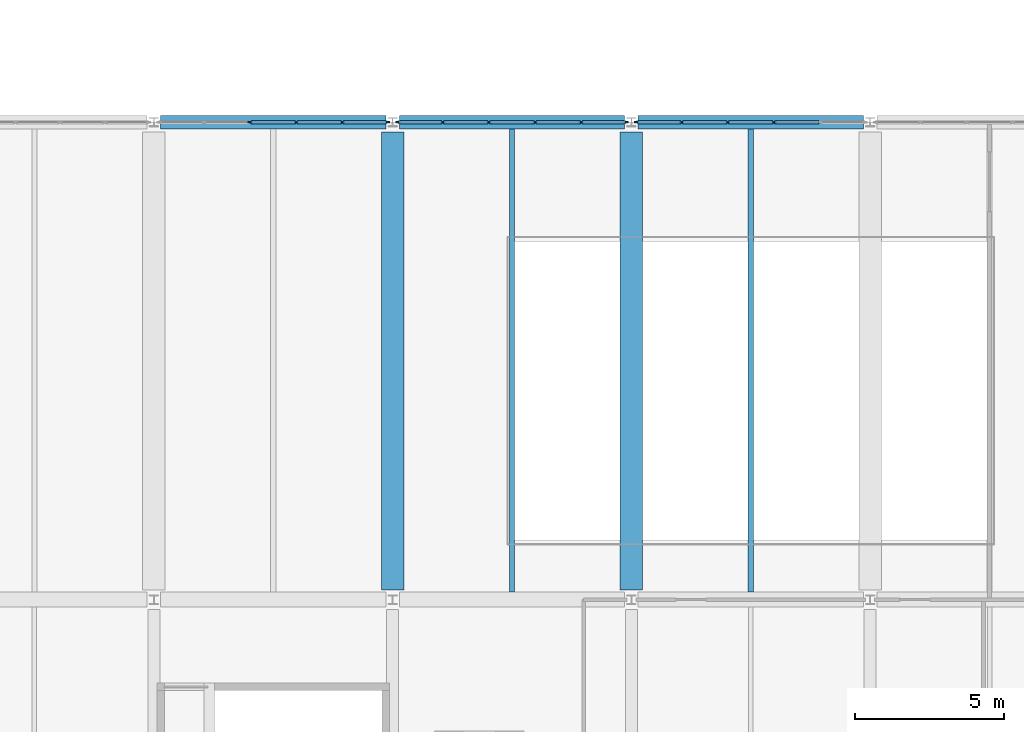
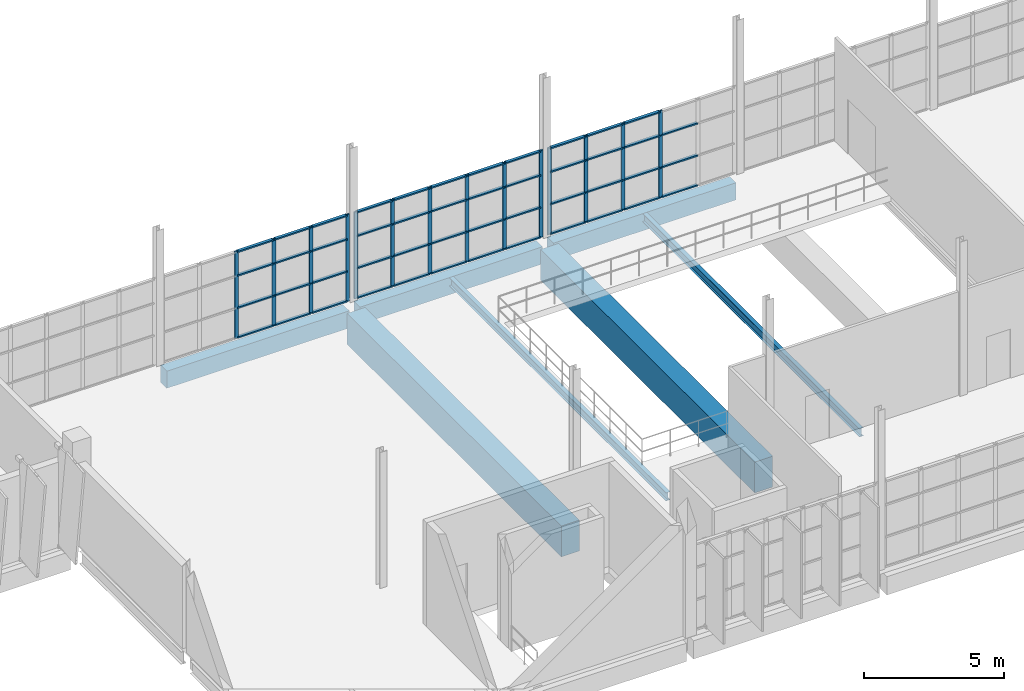
# One storey, part 20 of 93: 61 members, 7 beams, 3 elements without a shape of their own.
"""IFC4 building model written with IfcOpenShell, lengths in metres."""

from ifc_helpers import new_model, si_unit, direction, frame, origin, origin_2d, place, context, subcontext, project, spatial, rectangle, i_section, extrude, material, layer, layer_set, material_profile, profile_set, type_object, element, aggregate, save


model = new_model("IFC4")

# Units and contexts
model_context = context("Model", 3, precision=1e-05, world=origin(), true_north=direction((0.0, 1.0)))
body_context = subcontext(model_context, "Body", "Model", "MODEL_VIEW")
ifc_project = project(units=[si_unit("LENGTHUNIT", "METRE"), si_unit("AREAUNIT", "SQUARE_METRE"), si_unit("VOLUMEUNIT", "CUBIC_METRE"), si_unit("PLANEANGLEUNIT", "RADIAN"), si_unit("MASSUNIT", "GRAM", prefix="KILO")], contexts=[model_context])

# Site, building, storey
site_placement = place(None, origin())
site = spatial("IfcSite", under=ifc_project, at=site_placement, CompositionType="ELEMENT")
building_placement = place(site_placement, origin())
building = spatial("IfcBuilding", under=site, at=building_placement, Name="Drelvana Railside Aquatics Centre", CompositionType="ELEMENT")
storey_placement = place(building_placement, frame((0.0, 0.0, 5.39990234375)))
storey = spatial("IfcBuildingStorey", under=building, at=storey_placement, Name="L01", CompositionType="ELEMENT", Elevation=5.39990234375)

# Curtain wall, members
ifc_material_1 = material(Name="Bronze-anodised aluminium curtain wall", Category="aluminium")
ifc_layer = layer(ifc_material_1, 0.1650390625, Name="Bronze-anodised aluminium curtain wall")
ifc_layer_set = layer_set([ifc_layer], Name="Bronze-anodised aluminium curtain wall")
curtain_wall_type = type_object("IfcCurtainWallType", Name="CW-Z5-COURT", PredefinedType="NOTDEFINED", material=ifc_layer_set)
curtain_wall_1_placement = place(storey_placement, origin())
curtain_wall_1 = element("IfcCurtainWall", 1, at=curtain_wall_1_placement, inside=storey, type_object=curtain_wall_type, Name="Curtain wall CW-05-103", PredefinedType="NOTDEFINED")
ifc_material_2 = material(Name="Bronze-anodised aluminium 6063-T6", Category="aluminium")
ifc_material_profile_1 = material_profile(ifc_material_2, rectangle(XDim=0.06005859375, YDim=0.14990234375, at=origin_2d()), Name="ALU-M 60x150")
ifc_profile_set_1 = profile_set([ifc_material_profile_1], Name="Bronze-anodised aluminium 6063-T6")
member_type_1 = type_object("IfcMemberType", Name="CW-Z5-COURT-MUL", PredefinedType="MULLION", material=ifc_profile_set_1)
member_1_placement = place(storey_placement, frame((107.228759765625, 24.0, -0.005859375), z_axis=(0.0, 0.0, 1.0), x_axis=(0.0, 1.0, 0.0)))
member_1 = element("IfcMember", 2, at=member_1_placement, type_object=member_type_1, Name="CW-05 mullion 3", PredefinedType="MULLION", context=body_context, shape_type="SweptSolid", body=[
    extrude(rectangle(XDim=0.06005859375, YDim=0.14990234375, at=origin_2d()), origin(), (0.0, 0.0, 1.0), 3.805908203125),
])
member_2_placement = place(storey_placement, frame((108.771240234375, 24.0, -0.005859375), z_axis=(0.0, 0.0, 1.0), x_axis=(0.0, 1.0, 0.0)))
member_2 = element("IfcMember", 3, at=member_2_placement, type_object=member_type_1, Name="CW-05 mullion 4", PredefinedType="MULLION", context=body_context, shape_type="SweptSolid", body=[
    extrude(rectangle(XDim=0.06005859375, YDim=0.14990234375, at=origin_2d()), origin(), (0.0, 0.0, 1.0), 3.805908203125),
])
member_3_placement = place(storey_placement, frame((110.313720703125, 24.0, -0.005859375), z_axis=(0.0, 0.0, 1.0), x_axis=(0.0, 1.0, 0.0)))
member_3 = element("IfcMember", 4, at=member_3_placement, type_object=member_type_1, Name="CW-05 mullion 5", PredefinedType="MULLION", context=body_context, shape_type="SweptSolid", body=[
    extrude(rectangle(XDim=0.06005859375, YDim=0.14990234375, at=origin_2d()), origin(), (0.0, 0.0, 1.0), 3.805908203125),
])
member_4_placement = place(storey_placement, frame((111.825927734375, 24.0, -0.005859375), z_axis=(0.0, 0.0, 1.0), x_axis=(0.0, 1.0, 0.0)))
member_4 = element("IfcMember", 5, at=member_4_placement, type_object=member_type_1, Name="CW-05 mullion 6", PredefinedType="MULLION", context=body_context, shape_type="SweptSolid", body=[
    extrude(rectangle(XDim=0.06005859375, YDim=0.14990234375, at=origin_2d()), origin(), (0.0, 0.0, 1.0), 3.805908203125),
])

curtain_wall_2_placement = place(storey_placement, origin())
curtain_wall_2 = element("IfcCurtainWall", 6, at=curtain_wall_2_placement, inside=storey, type_object=curtain_wall_type, Name="Curtain wall CW-05-107", PredefinedType="NOTDEFINED")
member_5_placement = place(storey_placement, frame((112.174072265625, 24.0, -0.005859375), z_axis=(0.0, 0.0, 1.0), x_axis=(0.0, 1.0, 0.0)))
member_5 = element("IfcMember", 7, at=member_5_placement, type_object=member_type_1, Name="CW-05 mullion 1", PredefinedType="MULLION", context=body_context, shape_type="SweptSolid", body=[
    extrude(rectangle(XDim=0.06005859375, YDim=0.14990234375, at=origin_2d()), origin(), (0.0, 0.0, 1.0), 3.805908203125),
])
member_6_placement = place(storey_placement, frame((113.686279296875, 24.0, -0.005859375), z_axis=(0.0, 0.0, 1.0), x_axis=(0.0, 1.0, 0.0)))
member_6 = element("IfcMember", 8, at=member_6_placement, type_object=member_type_1, Name="CW-05 mullion 2", PredefinedType="MULLION", context=body_context, shape_type="SweptSolid", body=[
    extrude(rectangle(XDim=0.06005859375, YDim=0.14990234375, at=origin_2d()), origin(), (0.0, 0.0, 1.0), 3.805908203125),
])
member_7_placement = place(storey_placement, frame((115.228759765625, 24.0, -0.005859375), z_axis=(0.0, 0.0, 1.0), x_axis=(0.0, 1.0, 0.0)))
member_7 = element("IfcMember", 9, at=member_7_placement, type_object=member_type_1, Name="CW-05 mullion 3", PredefinedType="MULLION", context=body_context, shape_type="SweptSolid", body=[
    extrude(rectangle(XDim=0.06005859375, YDim=0.14990234375, at=origin_2d()), origin(), (0.0, 0.0, 1.0), 3.805908203125),
])
member_8_placement = place(storey_placement, frame((116.771240234375, 24.0, -0.005859375), z_axis=(0.0, 0.0, 1.0), x_axis=(0.0, 1.0, 0.0)))
member_8 = element("IfcMember", 10, at=member_8_placement, type_object=member_type_1, Name="CW-05 mullion 4", PredefinedType="MULLION", context=body_context, shape_type="SweptSolid", body=[
    extrude(rectangle(XDim=0.06005859375, YDim=0.14990234375, at=origin_2d()), origin(), (0.0, 0.0, 1.0), 3.805908203125),
])
member_9_placement = place(storey_placement, frame((118.313720703125, 24.0, -0.005859375), z_axis=(0.0, 0.0, 1.0), x_axis=(0.0, 1.0, 0.0)))
member_9 = element("IfcMember", 11, at=member_9_placement, type_object=member_type_1, Name="CW-05 mullion 5", PredefinedType="MULLION", context=body_context, shape_type="SweptSolid", body=[
    extrude(rectangle(XDim=0.06005859375, YDim=0.14990234375, at=origin_2d()), origin(), (0.0, 0.0, 1.0), 3.805908203125),
])
member_10_placement = place(storey_placement, frame((119.825927734375, 24.0, -0.005859375), z_axis=(0.0, 0.0, 1.0), x_axis=(0.0, 1.0, 0.0)))
member_10 = element("IfcMember", 12, at=member_10_placement, type_object=member_type_1, Name="CW-05 mullion 6", PredefinedType="MULLION", context=body_context, shape_type="SweptSolid", body=[
    extrude(rectangle(XDim=0.06005859375, YDim=0.14990234375, at=origin_2d()), origin(), (0.0, 0.0, 1.0), 3.805908203125),
])

curtain_wall_3_placement = place(storey_placement, origin())
curtain_wall_3 = element("IfcCurtainWall", 13, at=curtain_wall_3_placement, inside=storey, type_object=curtain_wall_type, Name="Curtain wall CW-05-109", PredefinedType="NOTDEFINED")
member_11_placement = place(storey_placement, frame((120.174072265625, 24.0, -0.005859375), z_axis=(0.0, 0.0, 1.0), x_axis=(0.0, 1.0, 0.0)))
member_11 = element("IfcMember", 14, at=member_11_placement, type_object=member_type_1, Name="CW-05 mullion 1", PredefinedType="MULLION", context=body_context, shape_type="SweptSolid", body=[
    extrude(rectangle(XDim=0.06005859375, YDim=0.14990234375, at=origin_2d()), origin(), (0.0, 0.0, 1.0), 3.805908203125),
])
member_12_placement = place(storey_placement, frame((121.686279296875, 24.0, -0.005859375), z_axis=(0.0, 0.0, 1.0), x_axis=(0.0, 1.0, 0.0)))
member_12 = element("IfcMember", 15, at=member_12_placement, type_object=member_type_1, Name="CW-05 mullion 2", PredefinedType="MULLION", context=body_context, shape_type="SweptSolid", body=[
    extrude(rectangle(XDim=0.06005859375, YDim=0.14990234375, at=origin_2d()), origin(), (0.0, 0.0, 1.0), 3.805908203125),
])
member_13_placement = place(storey_placement, frame((123.228759765625, 24.0, -0.005859375), z_axis=(0.0, 0.0, 1.0), x_axis=(0.0, 1.0, 0.0)))
member_13 = element("IfcMember", 16, at=member_13_placement, type_object=member_type_1, Name="CW-05 mullion 3", PredefinedType="MULLION", context=body_context, shape_type="SweptSolid", body=[
    extrude(rectangle(XDim=0.06005859375, YDim=0.14990234375, at=origin_2d()), origin(), (0.0, 0.0, 1.0), 3.805908203125),
])
member_14_placement = place(storey_placement, frame((124.771240234375, 24.0, -0.005859375), z_axis=(0.0, 0.0, 1.0), x_axis=(0.0, 1.0, 0.0)))
member_14 = element("IfcMember", 17, at=member_14_placement, type_object=member_type_1, Name="CW-05 mullion 4", PredefinedType="MULLION", context=body_context, shape_type="SweptSolid", body=[
    extrude(rectangle(XDim=0.06005859375, YDim=0.14990234375, at=origin_2d()), origin(), (0.0, 0.0, 1.0), 3.805908203125),
])

# Member
ifc_material_profile_2 = material_profile(ifc_material_2, rectangle(XDim=0.1201171875, YDim=0.06005859375, at=origin_2d()), Name="ALU-T 60x120")
ifc_profile_set_2 = profile_set([ifc_material_profile_2], Name="Bronze-anodised aluminium 6063-T6")
member_type_2 = type_object("IfcMemberType", Name="CW-Z5-COURT-TRN", PredefinedType="USERDEFINED", material=ifc_profile_set_2)
member_15_placement = place(storey_placement, frame((107.25390625, 24.0, 0.024169921875), z_axis=(1.0, 0.0, 0.0), x_axis=(0.0, 1.0, 0.0)))
member_15 = element("IfcMember", 18, at=member_15_placement, type_object=member_type_2, Name="CW-05 transom 3.1", ObjectType="TRANSOM", PredefinedType="USERDEFINED", context=body_context, shape_type="SweptSolid", body=[
    extrude(rectangle(XDim=0.1201171875, YDim=0.06005859375, at=origin_2d()), origin(), (0.0, 0.0, 1.0), 1.4921875),
])

member_16_placement = place(storey_placement, frame((107.25390625, 24.0, 1.326171875), z_axis=(1.0, 0.0, 0.0), x_axis=(0.0, 1.0, 0.0)))
member_16 = element("IfcMember", 19, at=member_16_placement, type_object=member_type_2, Name="CW-05 transom 3.2", ObjectType="TRANSOM", PredefinedType="USERDEFINED", context=body_context, shape_type="SweptSolid", body=[
    extrude(rectangle(XDim=0.1201171875, YDim=0.06005859375, at=origin_2d()), origin(), (0.0, 0.0, 1.0), 1.4921875),
])

member_17_placement = place(storey_placement, frame((107.25390625, 24.0, 2.734130859375), z_axis=(1.0, 0.0, 0.0), x_axis=(0.0, 1.0, 0.0)))
member_17 = element("IfcMember", 20, at=member_17_placement, type_object=member_type_2, Name="CW-05 transom 3.3", ObjectType="TRANSOM", PredefinedType="USERDEFINED", context=body_context, shape_type="SweptSolid", body=[
    extrude(rectangle(XDim=0.1201171875, YDim=0.06005859375, at=origin_2d()), origin(), (0.0, 0.0, 1.0), 1.4921875),
])

member_18_placement = place(storey_placement, frame((107.25390625, 24.0, 3.77001953125), z_axis=(1.0, 0.0, 0.0), x_axis=(0.0, 1.0, 0.0)))
member_18 = element("IfcMember", 21, at=member_18_placement, type_object=member_type_2, Name="CW-05 transom 3.4", ObjectType="TRANSOM", PredefinedType="USERDEFINED", context=body_context, shape_type="SweptSolid", body=[
    extrude(rectangle(XDim=0.1201171875, YDim=0.06005859375, at=origin_2d()), origin(), (0.0, 0.0, 1.0), 1.4921875),
])

member_19_placement = place(storey_placement, frame((108.796142578125, 24.0, 0.024169921875), z_axis=(1.0, 0.0, 0.0), x_axis=(0.0, 1.0, 0.0)))
member_19 = element("IfcMember", 22, at=member_19_placement, type_object=member_type_2, Name="CW-05 transom 4.1", ObjectType="TRANSOM", PredefinedType="USERDEFINED", context=body_context, shape_type="SweptSolid", body=[
    extrude(rectangle(XDim=0.1201171875, YDim=0.06005859375, at=origin_2d()), origin(), (0.0, 0.0, 1.0), 1.492431640625),
])

member_20_placement = place(storey_placement, frame((108.796142578125, 24.0, 1.326171875), z_axis=(1.0, 0.0, 0.0), x_axis=(0.0, 1.0, 0.0)))
member_20 = element("IfcMember", 23, at=member_20_placement, type_object=member_type_2, Name="CW-05 transom 4.2", ObjectType="TRANSOM", PredefinedType="USERDEFINED", context=body_context, shape_type="SweptSolid", body=[
    extrude(rectangle(XDim=0.1201171875, YDim=0.06005859375, at=origin_2d()), origin(), (0.0, 0.0, 1.0), 1.492431640625),
])

member_21_placement = place(storey_placement, frame((108.796142578125, 24.0, 2.734130859375), z_axis=(1.0, 0.0, 0.0), x_axis=(0.0, 1.0, 0.0)))
member_21 = element("IfcMember", 24, at=member_21_placement, type_object=member_type_2, Name="CW-05 transom 4.3", ObjectType="TRANSOM", PredefinedType="USERDEFINED", context=body_context, shape_type="SweptSolid", body=[
    extrude(rectangle(XDim=0.1201171875, YDim=0.06005859375, at=origin_2d()), origin(), (0.0, 0.0, 1.0), 1.492431640625),
])

member_22_placement = place(storey_placement, frame((108.796142578125, 24.0, 3.77001953125), z_axis=(1.0, 0.0, 0.0), x_axis=(0.0, 1.0, 0.0)))
member_22 = element("IfcMember", 25, at=member_22_placement, type_object=member_type_2, Name="CW-05 transom 4.4", ObjectType="TRANSOM", PredefinedType="USERDEFINED", context=body_context, shape_type="SweptSolid", body=[
    extrude(rectangle(XDim=0.1201171875, YDim=0.06005859375, at=origin_2d()), origin(), (0.0, 0.0, 1.0), 1.492431640625),
])

member_23_placement = place(storey_placement, frame((110.338623046875, 24.0, 0.024169921875), z_axis=(1.0, 0.0, 0.0), x_axis=(0.0, 1.0, 0.0)))
member_23 = element("IfcMember", 26, at=member_23_placement, type_object=member_type_2, Name="CW-05 transom 5.1", ObjectType="TRANSOM", PredefinedType="USERDEFINED", context=body_context, shape_type="SweptSolid", body=[
    extrude(rectangle(XDim=0.1201171875, YDim=0.06005859375, at=origin_2d()), origin(), (0.0, 0.0, 1.0), 1.46240234375),
])

member_24_placement = place(storey_placement, frame((110.338623046875, 24.0, 1.326171875), z_axis=(1.0, 0.0, 0.0), x_axis=(0.0, 1.0, 0.0)))
member_24 = element("IfcMember", 27, at=member_24_placement, type_object=member_type_2, Name="CW-05 transom 5.2", ObjectType="TRANSOM", PredefinedType="USERDEFINED", context=body_context, shape_type="SweptSolid", body=[
    extrude(rectangle(XDim=0.1201171875, YDim=0.06005859375, at=origin_2d()), origin(), (0.0, 0.0, 1.0), 1.46240234375),
])

member_25_placement = place(storey_placement, frame((110.338623046875, 24.0, 2.734130859375), z_axis=(1.0, 0.0, 0.0), x_axis=(0.0, 1.0, 0.0)))
member_25 = element("IfcMember", 28, at=member_25_placement, type_object=member_type_2, Name="CW-05 transom 5.3", ObjectType="TRANSOM", PredefinedType="USERDEFINED", context=body_context, shape_type="SweptSolid", body=[
    extrude(rectangle(XDim=0.1201171875, YDim=0.06005859375, at=origin_2d()), origin(), (0.0, 0.0, 1.0), 1.46240234375),
])

member_26_placement = place(storey_placement, frame((110.338623046875, 24.0, 3.77001953125), z_axis=(1.0, 0.0, 0.0), x_axis=(0.0, 1.0, 0.0)))
member_26 = element("IfcMember", 29, at=member_26_placement, type_object=member_type_2, Name="CW-05 transom 5.4", ObjectType="TRANSOM", PredefinedType="USERDEFINED", context=body_context, shape_type="SweptSolid", body=[
    extrude(rectangle(XDim=0.1201171875, YDim=0.06005859375, at=origin_2d()), origin(), (0.0, 0.0, 1.0), 1.46240234375),
])

aggregate(curtain_wall_1, [member_1, member_2, member_3, member_4, member_15, member_16, member_17, member_18, member_19, member_20, member_21, member_22, member_23, member_24, member_25, member_26])

member_27_placement = place(storey_placement, frame((112.198974609375, 24.0, 0.024169921875), z_axis=(1.0, 0.0, 0.0), x_axis=(0.0, 1.0, 0.0)))
member_27 = element("IfcMember", 30, at=member_27_placement, type_object=member_type_2, Name="CW-05 transom 1.1", ObjectType="TRANSOM", PredefinedType="USERDEFINED", context=body_context, shape_type="SweptSolid", body=[
    extrude(rectangle(XDim=0.1201171875, YDim=0.06005859375, at=origin_2d()), origin(), (0.0, 0.0, 1.0), 1.46240234375),
])

member_28_placement = place(storey_placement, frame((112.198974609375, 24.0, 1.326171875), z_axis=(1.0, 0.0, 0.0), x_axis=(0.0, 1.0, 0.0)))
member_28 = element("IfcMember", 31, at=member_28_placement, type_object=member_type_2, Name="CW-05 transom 1.2", ObjectType="TRANSOM", PredefinedType="USERDEFINED", context=body_context, shape_type="SweptSolid", body=[
    extrude(rectangle(XDim=0.1201171875, YDim=0.06005859375, at=origin_2d()), origin(), (0.0, 0.0, 1.0), 1.46240234375),
])

member_29_placement = place(storey_placement, frame((112.198974609375, 24.0, 2.734130859375), z_axis=(1.0, 0.0, 0.0), x_axis=(0.0, 1.0, 0.0)))
member_29 = element("IfcMember", 32, at=member_29_placement, type_object=member_type_2, Name="CW-05 transom 1.3", ObjectType="TRANSOM", PredefinedType="USERDEFINED", context=body_context, shape_type="SweptSolid", body=[
    extrude(rectangle(XDim=0.1201171875, YDim=0.06005859375, at=origin_2d()), origin(), (0.0, 0.0, 1.0), 1.46240234375),
])

member_30_placement = place(storey_placement, frame((112.198974609375, 24.0, 3.77001953125), z_axis=(1.0, 0.0, 0.0), x_axis=(0.0, 1.0, 0.0)))
member_30 = element("IfcMember", 33, at=member_30_placement, type_object=member_type_2, Name="CW-05 transom 1.4", ObjectType="TRANSOM", PredefinedType="USERDEFINED", context=body_context, shape_type="SweptSolid", body=[
    extrude(rectangle(XDim=0.1201171875, YDim=0.06005859375, at=origin_2d()), origin(), (0.0, 0.0, 1.0), 1.46240234375),
])

member_31_placement = place(storey_placement, frame((113.71142578125, 24.0, 0.024169921875), z_axis=(1.0, 0.0, 0.0), x_axis=(0.0, 1.0, 0.0)))
member_31 = element("IfcMember", 34, at=member_31_placement, type_object=member_type_2, Name="CW-05 transom 2.1", ObjectType="TRANSOM", PredefinedType="USERDEFINED", context=body_context, shape_type="SweptSolid", body=[
    extrude(rectangle(XDim=0.1201171875, YDim=0.06005859375, at=origin_2d()), origin(), (0.0, 0.0, 1.0), 1.492431640625),
])

member_32_placement = place(storey_placement, frame((113.71142578125, 24.0, 1.326171875), z_axis=(1.0, 0.0, 0.0), x_axis=(0.0, 1.0, 0.0)))
member_32 = element("IfcMember", 35, at=member_32_placement, type_object=member_type_2, Name="CW-05 transom 2.2", ObjectType="TRANSOM", PredefinedType="USERDEFINED", context=body_context, shape_type="SweptSolid", body=[
    extrude(rectangle(XDim=0.1201171875, YDim=0.06005859375, at=origin_2d()), origin(), (0.0, 0.0, 1.0), 1.492431640625),
])

member_33_placement = place(storey_placement, frame((113.71142578125, 24.0, 2.734130859375), z_axis=(1.0, 0.0, 0.0), x_axis=(0.0, 1.0, 0.0)))
member_33 = element("IfcMember", 36, at=member_33_placement, type_object=member_type_2, Name="CW-05 transom 2.3", ObjectType="TRANSOM", PredefinedType="USERDEFINED", context=body_context, shape_type="SweptSolid", body=[
    extrude(rectangle(XDim=0.1201171875, YDim=0.06005859375, at=origin_2d()), origin(), (0.0, 0.0, 1.0), 1.492431640625),
])

member_34_placement = place(storey_placement, frame((113.71142578125, 24.0, 3.77001953125), z_axis=(1.0, 0.0, 0.0), x_axis=(0.0, 1.0, 0.0)))
member_34 = element("IfcMember", 37, at=member_34_placement, type_object=member_type_2, Name="CW-05 transom 2.4", ObjectType="TRANSOM", PredefinedType="USERDEFINED", context=body_context, shape_type="SweptSolid", body=[
    extrude(rectangle(XDim=0.1201171875, YDim=0.06005859375, at=origin_2d()), origin(), (0.0, 0.0, 1.0), 1.492431640625),
])

member_35_placement = place(storey_placement, frame((115.25390625, 24.0, 0.024169921875), z_axis=(1.0, 0.0, 0.0), x_axis=(0.0, 1.0, 0.0)))
member_35 = element("IfcMember", 38, at=member_35_placement, type_object=member_type_2, Name="CW-05 transom 3.1", ObjectType="TRANSOM", PredefinedType="USERDEFINED", context=body_context, shape_type="SweptSolid", body=[
    extrude(rectangle(XDim=0.1201171875, YDim=0.06005859375, at=origin_2d()), origin(), (0.0, 0.0, 1.0), 1.4921875),
])

member_36_placement = place(storey_placement, frame((115.25390625, 24.0, 1.326171875), z_axis=(1.0, 0.0, 0.0), x_axis=(0.0, 1.0, 0.0)))
member_36 = element("IfcMember", 39, at=member_36_placement, type_object=member_type_2, Name="CW-05 transom 3.2", ObjectType="TRANSOM", PredefinedType="USERDEFINED", context=body_context, shape_type="SweptSolid", body=[
    extrude(rectangle(XDim=0.1201171875, YDim=0.06005859375, at=origin_2d()), origin(), (0.0, 0.0, 1.0), 1.4921875),
])

member_37_placement = place(storey_placement, frame((115.25390625, 24.0, 2.734130859375), z_axis=(1.0, 0.0, 0.0), x_axis=(0.0, 1.0, 0.0)))
member_37 = element("IfcMember", 40, at=member_37_placement, type_object=member_type_2, Name="CW-05 transom 3.3", ObjectType="TRANSOM", PredefinedType="USERDEFINED", context=body_context, shape_type="SweptSolid", body=[
    extrude(rectangle(XDim=0.1201171875, YDim=0.06005859375, at=origin_2d()), origin(), (0.0, 0.0, 1.0), 1.4921875),
])

member_38_placement = place(storey_placement, frame((115.25390625, 24.0, 3.77001953125), z_axis=(1.0, 0.0, 0.0), x_axis=(0.0, 1.0, 0.0)))
member_38 = element("IfcMember", 41, at=member_38_placement, type_object=member_type_2, Name="CW-05 transom 3.4", ObjectType="TRANSOM", PredefinedType="USERDEFINED", context=body_context, shape_type="SweptSolid", body=[
    extrude(rectangle(XDim=0.1201171875, YDim=0.06005859375, at=origin_2d()), origin(), (0.0, 0.0, 1.0), 1.4921875),
])

member_39_placement = place(storey_placement, frame((116.796142578125, 24.0, 0.024169921875), z_axis=(1.0, 0.0, 0.0), x_axis=(0.0, 1.0, 0.0)))
member_39 = element("IfcMember", 42, at=member_39_placement, type_object=member_type_2, Name="CW-05 transom 4.1", ObjectType="TRANSOM", PredefinedType="USERDEFINED", context=body_context, shape_type="SweptSolid", body=[
    extrude(rectangle(XDim=0.1201171875, YDim=0.06005859375, at=origin_2d()), origin(), (0.0, 0.0, 1.0), 1.492431640625),
])

member_40_placement = place(storey_placement, frame((116.796142578125, 24.0, 1.326171875), z_axis=(1.0, 0.0, 0.0), x_axis=(0.0, 1.0, 0.0)))
member_40 = element("IfcMember", 43, at=member_40_placement, type_object=member_type_2, Name="CW-05 transom 4.2", ObjectType="TRANSOM", PredefinedType="USERDEFINED", context=body_context, shape_type="SweptSolid", body=[
    extrude(rectangle(XDim=0.1201171875, YDim=0.06005859375, at=origin_2d()), origin(), (0.0, 0.0, 1.0), 1.492431640625),
])

member_41_placement = place(storey_placement, frame((116.796142578125, 24.0, 2.734130859375), z_axis=(1.0, 0.0, 0.0), x_axis=(0.0, 1.0, 0.0)))
member_41 = element("IfcMember", 44, at=member_41_placement, type_object=member_type_2, Name="CW-05 transom 4.3", ObjectType="TRANSOM", PredefinedType="USERDEFINED", context=body_context, shape_type="SweptSolid", body=[
    extrude(rectangle(XDim=0.1201171875, YDim=0.06005859375, at=origin_2d()), origin(), (0.0, 0.0, 1.0), 1.492431640625),
])

member_42_placement = place(storey_placement, frame((116.796142578125, 24.0, 3.77001953125), z_axis=(1.0, 0.0, 0.0), x_axis=(0.0, 1.0, 0.0)))
member_42 = element("IfcMember", 45, at=member_42_placement, type_object=member_type_2, Name="CW-05 transom 4.4", ObjectType="TRANSOM", PredefinedType="USERDEFINED", context=body_context, shape_type="SweptSolid", body=[
    extrude(rectangle(XDim=0.1201171875, YDim=0.06005859375, at=origin_2d()), origin(), (0.0, 0.0, 1.0), 1.492431640625),
])

member_43_placement = place(storey_placement, frame((118.338623046875, 24.0, 0.024169921875), z_axis=(1.0, 0.0, 0.0), x_axis=(0.0, 1.0, 0.0)))
member_43 = element("IfcMember", 46, at=member_43_placement, type_object=member_type_2, Name="CW-05 transom 5.1", ObjectType="TRANSOM", PredefinedType="USERDEFINED", context=body_context, shape_type="SweptSolid", body=[
    extrude(rectangle(XDim=0.1201171875, YDim=0.06005859375, at=origin_2d()), origin(), (0.0, 0.0, 1.0), 1.46240234375),
])

member_44_placement = place(storey_placement, frame((118.338623046875, 24.0, 1.326171875), z_axis=(1.0, 0.0, 0.0), x_axis=(0.0, 1.0, 0.0)))
member_44 = element("IfcMember", 47, at=member_44_placement, type_object=member_type_2, Name="CW-05 transom 5.2", ObjectType="TRANSOM", PredefinedType="USERDEFINED", context=body_context, shape_type="SweptSolid", body=[
    extrude(rectangle(XDim=0.1201171875, YDim=0.06005859375, at=origin_2d()), origin(), (0.0, 0.0, 1.0), 1.46240234375),
])

member_45_placement = place(storey_placement, frame((118.338623046875, 24.0, 2.734130859375), z_axis=(1.0, 0.0, 0.0), x_axis=(0.0, 1.0, 0.0)))
member_45 = element("IfcMember", 48, at=member_45_placement, type_object=member_type_2, Name="CW-05 transom 5.3", ObjectType="TRANSOM", PredefinedType="USERDEFINED", context=body_context, shape_type="SweptSolid", body=[
    extrude(rectangle(XDim=0.1201171875, YDim=0.06005859375, at=origin_2d()), origin(), (0.0, 0.0, 1.0), 1.46240234375),
])

member_46_placement = place(storey_placement, frame((118.338623046875, 24.0, 3.77001953125), z_axis=(1.0, 0.0, 0.0), x_axis=(0.0, 1.0, 0.0)))
member_46 = element("IfcMember", 49, at=member_46_placement, type_object=member_type_2, Name="CW-05 transom 5.4", ObjectType="TRANSOM", PredefinedType="USERDEFINED", context=body_context, shape_type="SweptSolid", body=[
    extrude(rectangle(XDim=0.1201171875, YDim=0.06005859375, at=origin_2d()), origin(), (0.0, 0.0, 1.0), 1.46240234375),
])

aggregate(curtain_wall_2, [member_5, member_6, member_7, member_8, member_9, member_10, member_27, member_28, member_29, member_30, member_31, member_32, member_33, member_34, member_35, member_36, member_37, member_38, member_39, member_40, member_41, member_42, member_43, member_44, member_45, member_46])

member_47_placement = place(storey_placement, frame((120.198974609375, 24.0, 0.024169921875), z_axis=(1.0, 0.0, 0.0), x_axis=(0.0, 1.0, 0.0)))
member_47 = element("IfcMember", 50, at=member_47_placement, type_object=member_type_2, Name="CW-05 transom 1.1", ObjectType="TRANSOM", PredefinedType="USERDEFINED", context=body_context, shape_type="SweptSolid", body=[
    extrude(rectangle(XDim=0.1201171875, YDim=0.06005859375, at=origin_2d()), origin(), (0.0, 0.0, 1.0), 1.46240234375),
])

member_48_placement = place(storey_placement, frame((120.198974609375, 24.0, 1.326171875), z_axis=(1.0, 0.0, 0.0), x_axis=(0.0, 1.0, 0.0)))
member_48 = element("IfcMember", 51, at=member_48_placement, type_object=member_type_2, Name="CW-05 transom 1.2", ObjectType="TRANSOM", PredefinedType="USERDEFINED", context=body_context, shape_type="SweptSolid", body=[
    extrude(rectangle(XDim=0.1201171875, YDim=0.06005859375, at=origin_2d()), origin(), (0.0, 0.0, 1.0), 1.46240234375),
])

member_49_placement = place(storey_placement, frame((120.198974609375, 24.0, 2.734130859375), z_axis=(1.0, 0.0, 0.0), x_axis=(0.0, 1.0, 0.0)))
member_49 = element("IfcMember", 52, at=member_49_placement, type_object=member_type_2, Name="CW-05 transom 1.3", ObjectType="TRANSOM", PredefinedType="USERDEFINED", context=body_context, shape_type="SweptSolid", body=[
    extrude(rectangle(XDim=0.1201171875, YDim=0.06005859375, at=origin_2d()), origin(), (0.0, 0.0, 1.0), 1.46240234375),
])

member_50_placement = place(storey_placement, frame((120.198974609375, 24.0, 3.77001953125), z_axis=(1.0, 0.0, 0.0), x_axis=(0.0, 1.0, 0.0)))
member_50 = element("IfcMember", 53, at=member_50_placement, type_object=member_type_2, Name="CW-05 transom 1.4", ObjectType="TRANSOM", PredefinedType="USERDEFINED", context=body_context, shape_type="SweptSolid", body=[
    extrude(rectangle(XDim=0.1201171875, YDim=0.06005859375, at=origin_2d()), origin(), (0.0, 0.0, 1.0), 1.46240234375),
])

member_51_placement = place(storey_placement, frame((121.71142578125, 24.0, 0.024169921875), z_axis=(1.0, 0.0, 0.0), x_axis=(0.0, 1.0, 0.0)))
member_51 = element("IfcMember", 54, at=member_51_placement, type_object=member_type_2, Name="CW-05 transom 2.1", ObjectType="TRANSOM", PredefinedType="USERDEFINED", context=body_context, shape_type="SweptSolid", body=[
    extrude(rectangle(XDim=0.1201171875, YDim=0.06005859375, at=origin_2d()), origin(), (0.0, 0.0, 1.0), 1.492431640625),
])

member_52_placement = place(storey_placement, frame((121.71142578125, 24.0, 1.326171875), z_axis=(1.0, 0.0, 0.0), x_axis=(0.0, 1.0, 0.0)))
member_52 = element("IfcMember", 55, at=member_52_placement, type_object=member_type_2, Name="CW-05 transom 2.2", ObjectType="TRANSOM", PredefinedType="USERDEFINED", context=body_context, shape_type="SweptSolid", body=[
    extrude(rectangle(XDim=0.1201171875, YDim=0.06005859375, at=origin_2d()), origin(), (0.0, 0.0, 1.0), 1.492431640625),
])

member_53_placement = place(storey_placement, frame((121.71142578125, 24.0, 2.734130859375), z_axis=(1.0, 0.0, 0.0), x_axis=(0.0, 1.0, 0.0)))
member_53 = element("IfcMember", 56, at=member_53_placement, type_object=member_type_2, Name="CW-05 transom 2.3", ObjectType="TRANSOM", PredefinedType="USERDEFINED", context=body_context, shape_type="SweptSolid", body=[
    extrude(rectangle(XDim=0.1201171875, YDim=0.06005859375, at=origin_2d()), origin(), (0.0, 0.0, 1.0), 1.492431640625),
])

member_54_placement = place(storey_placement, frame((121.71142578125, 24.0, 3.77001953125), z_axis=(1.0, 0.0, 0.0), x_axis=(0.0, 1.0, 0.0)))
member_54 = element("IfcMember", 57, at=member_54_placement, type_object=member_type_2, Name="CW-05 transom 2.4", ObjectType="TRANSOM", PredefinedType="USERDEFINED", context=body_context, shape_type="SweptSolid", body=[
    extrude(rectangle(XDim=0.1201171875, YDim=0.06005859375, at=origin_2d()), origin(), (0.0, 0.0, 1.0), 1.492431640625),
])

member_55_placement = place(storey_placement, frame((123.25390625, 24.0, 0.024169921875), z_axis=(1.0, 0.0, 0.0), x_axis=(0.0, 1.0, 0.0)))
member_55 = element("IfcMember", 58, at=member_55_placement, type_object=member_type_2, Name="CW-05 transom 3.1", ObjectType="TRANSOM", PredefinedType="USERDEFINED", context=body_context, shape_type="SweptSolid", body=[
    extrude(rectangle(XDim=0.1201171875, YDim=0.06005859375, at=origin_2d()), origin(), (0.0, 0.0, 1.0), 1.4921875),
])

member_56_placement = place(storey_placement, frame((123.25390625, 24.0, 1.326171875), z_axis=(1.0, 0.0, 0.0), x_axis=(0.0, 1.0, 0.0)))
member_56 = element("IfcMember", 59, at=member_56_placement, type_object=member_type_2, Name="CW-05 transom 3.2", ObjectType="TRANSOM", PredefinedType="USERDEFINED", context=body_context, shape_type="SweptSolid", body=[
    extrude(rectangle(XDim=0.1201171875, YDim=0.06005859375, at=origin_2d()), origin(), (0.0, 0.0, 1.0), 1.4921875),
])

member_57_placement = place(storey_placement, frame((123.25390625, 24.0, 2.734130859375), z_axis=(1.0, 0.0, 0.0), x_axis=(0.0, 1.0, 0.0)))
member_57 = element("IfcMember", 60, at=member_57_placement, type_object=member_type_2, Name="CW-05 transom 3.3", ObjectType="TRANSOM", PredefinedType="USERDEFINED", context=body_context, shape_type="SweptSolid", body=[
    extrude(rectangle(XDim=0.1201171875, YDim=0.06005859375, at=origin_2d()), origin(), (0.0, 0.0, 1.0), 1.4921875),
])

member_58_placement = place(storey_placement, frame((123.25390625, 24.0, 3.77001953125), z_axis=(1.0, 0.0, 0.0), x_axis=(0.0, 1.0, 0.0)))
member_58 = element("IfcMember", 61, at=member_58_placement, type_object=member_type_2, Name="CW-05 transom 3.4", ObjectType="TRANSOM", PredefinedType="USERDEFINED", context=body_context, shape_type="SweptSolid", body=[
    extrude(rectangle(XDim=0.1201171875, YDim=0.06005859375, at=origin_2d()), origin(), (0.0, 0.0, 1.0), 1.4921875),
])

member_59_placement = place(storey_placement, frame((124.796142578125, 24.0, 0.024169921875), z_axis=(1.0, 0.0, 0.0), x_axis=(0.0, 1.0, 0.0)))
member_59 = element("IfcMember", 62, at=member_59_placement, type_object=member_type_2, Name="CW-05 transom 4.1", ObjectType="TRANSOM", PredefinedType="USERDEFINED", context=body_context, shape_type="SweptSolid", body=[
    extrude(rectangle(XDim=0.1201171875, YDim=0.06005859375, at=origin_2d()), origin(), (0.0, 0.0, 1.0), 1.492431640625),
])

member_60_placement = place(storey_placement, frame((124.796142578125, 24.0, 1.326171875), z_axis=(1.0, 0.0, 0.0), x_axis=(0.0, 1.0, 0.0)))
member_60 = element("IfcMember", 63, at=member_60_placement, type_object=member_type_2, Name="CW-05 transom 4.2", ObjectType="TRANSOM", PredefinedType="USERDEFINED", context=body_context, shape_type="SweptSolid", body=[
    extrude(rectangle(XDim=0.1201171875, YDim=0.06005859375, at=origin_2d()), origin(), (0.0, 0.0, 1.0), 1.492431640625),
])

member_61_placement = place(storey_placement, frame((124.796142578125, 24.0, 2.734130859375), z_axis=(1.0, 0.0, 0.0), x_axis=(0.0, 1.0, 0.0)))
member_61 = element("IfcMember", 64, at=member_61_placement, type_object=member_type_2, Name="CW-05 transom 4.3", ObjectType="TRANSOM", PredefinedType="USERDEFINED", context=body_context, shape_type="SweptSolid", body=[
    extrude(rectangle(XDim=0.1201171875, YDim=0.06005859375, at=origin_2d()), origin(), (0.0, 0.0, 1.0), 1.492431640625),
])

aggregate(curtain_wall_3, [member_11, member_12, member_13, member_14, member_47, member_48, member_49, member_50, member_51, member_52, member_53, member_54, member_55, member_56, member_57, member_58, member_59, member_60, member_61])

# Beams
ifc_material_3 = material(Name="Concrete C40/50", Category="concrete")
ifc_material_profile_3 = material_profile(ifc_material_3, rectangle(XDim=0.449951171875, YDim=0.75, at=origin_2d()), Name="RC 450x750")
ifc_profile_set_3 = profile_set([ifc_material_profile_3], Name="Concrete C40/50")
beam_type_1 = type_object("IfcBeamType", Name="STR-BM-BM-04-RC-450x750", PredefinedType="BEAM", material=ifc_profile_set_3)
for number, where, z_axis, x_axis, name in (
    (65, (104.22509765625, 24.0, -0.64990234375), (1.0, 0.0, 0.0), (0.0, 1.0, 0.0), "Girder BM-04 (L01)"),
    (66, (112.22509765625, 24.0, -0.64990234375), (1.0, 0.0, 0.0), (0.0, 1.0, 0.0), "Girder BM-04 (L01)"),
    (67, (120.22509765625, 24.0, -0.64990234375), (1.0, 0.0, 0.0), (0.0, 1.0, 0.0), "Girder BM-04 (L01)"),
):
    element("IfcBeam", number, at=place(storey_placement, frame(where, z_axis=z_axis, x_axis=x_axis)), inside=storey, type_object=beam_type_1, Name=name, PredefinedType="BEAM", context=body_context, shape_type="SweptSolid", body=[
        extrude(rectangle(XDim=0.449951171875, YDim=0.75, at=origin_2d()), origin(), (0.0, 0.0, 1.0), 7.5498046875),
    ])
ifc_material_profile_4 = material_profile(ifc_material_3, rectangle(XDim=0.75, YDim=1.35009765625, at=origin_2d()), Name="RC 750x1350")
ifc_profile_set_4 = profile_set([ifc_material_profile_4], Name="Concrete C40/50")
beam_type_2 = type_object("IfcBeamType", Name="STR-BM-TG-02-RC-750x1350", PredefinedType="BEAM", material=ifc_profile_set_4)
for number, where, z_axis, x_axis, name in (
    (68, (112.0, 8.324951171875, -0.949951171875), (0.0, 1.0, 0.0), (-1.0, 0.0, 0.0), "Girder TG-02 (L01)"),
    (69, (120.0, 8.324951171875, -0.949951171875), (0.0, 1.0, 0.0), (-1.0, 0.0, 0.0), "Girder TG-02 (L01)"),
):
    element("IfcBeam", number, at=place(storey_placement, frame(where, z_axis=z_axis, x_axis=x_axis)), inside=storey, type_object=beam_type_2, Name=name, PredefinedType="BEAM", context=body_context, shape_type="SweptSolid", body=[
        extrude(rectangle(XDim=0.75, YDim=1.35009765625, at=origin_2d()), origin(), (0.0, 0.0, 1.0), 15.35009765625),
    ])
ifc_material_4 = material(Name="Structural steel S355", Category="steel")
ifc_material_profile_5 = material_profile(ifc_material_4, i_section(OverallWidth=0.169921875, OverallDepth=0.360107421875, WebThickness=0.008056640625, FlangeThickness=0.0126953125, at=origin_2d()), Name="IPE 360")
ifc_profile_set_5 = profile_set([ifc_material_profile_5], Name="Structural steel S355")
beam_type_3 = type_object("IfcBeamType", Name="STR-SBM-SJ-05-IPE-360", PredefinedType="JOIST", material=ifc_profile_set_5)
for number, where, z_axis, x_axis, name in (
    (70, (116.0, 8.25, -0.454833984375), (0.0, 1.0, 0.0), (-1.0, 0.0, 0.0), "Secondary floor joist SJ-05 (L01)"),
    (71, (124.0, 8.25, -0.454833984375), (0.0, 1.0, 0.0), (-1.0, 0.0, 0.0), "Secondary floor joist SJ-05 (L01)"),
):
    element("IfcBeam", number, at=place(storey_placement, frame(where, z_axis=z_axis, x_axis=x_axis)), inside=storey, type_object=beam_type_3, Name=name, PredefinedType="JOIST", context=body_context, shape_type="SweptSolid", body=[
        extrude(i_section(OverallWidth=0.169921875, OverallDepth=0.360107421875, WebThickness=0.008056640625, FlangeThickness=0.0126953125, at=origin_2d()), origin(), (0.0, 0.0, 1.0), 15.52490234375),
    ])

save(model, "model.ifc")
